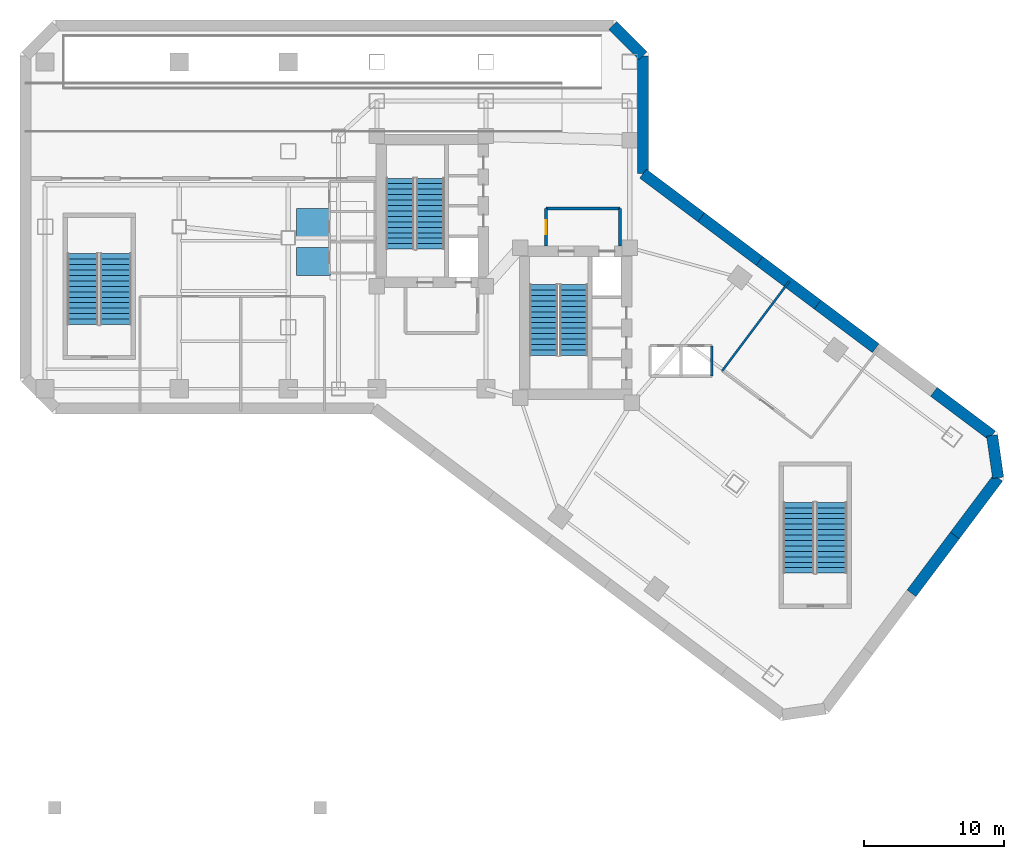
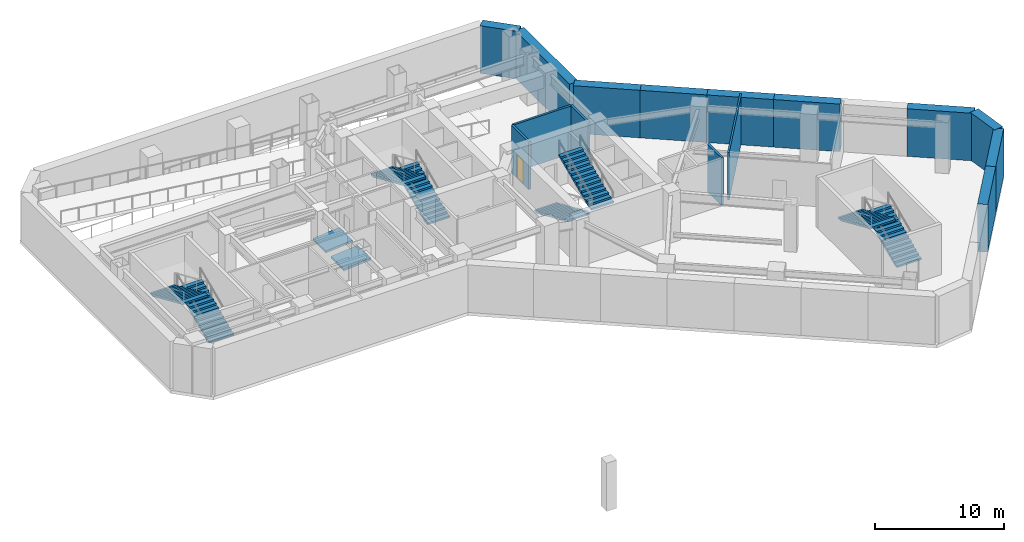
# One storey, part 5 of 9: 15 walls, 8 stair flights, 2 ramp flights, 1 door, 1 opening, 6 elements without a shape of their own.
"""IFC4 building model written with IfcOpenShell, lengths in metres."""

from ifc_helpers import new_model, si_unit, direction, frame, frame_2d, origin, place, context, subcontext, project, spatial, polyline, rectangle, outline, extrude, material, layer, layer_set, type_object, element, fill, aggregate, save


model = new_model("IFC4")

# Units and contexts
model_context = context("Model", 3, precision=1e-05, world=origin(), true_north=direction((0.0, 1.0)))
body_context = subcontext(model_context, "Body", "Model", "MODEL_VIEW")
ifc_project = project(units=[si_unit("LENGTHUNIT", "METRE"), si_unit("AREAUNIT", "SQUARE_METRE"), si_unit("VOLUMEUNIT", "CUBIC_METRE"), si_unit("PLANEANGLEUNIT", "RADIAN"), si_unit("MASSUNIT", "GRAM", prefix="KILO")], contexts=[model_context])

# Site, building, storey
site_placement = place(None, origin())
site = spatial("IfcSite", under=ifc_project, at=site_placement, CompositionType="ELEMENT")
building_placement = place(site_placement, origin())
building = spatial("IfcBuilding", under=site, at=building_placement, Name="Hatsunagi Terrace Concourse", CompositionType="ELEMENT")
storey_placement = place(building_placement, frame((0.0, 0.0, -4.800048828125)))
storey = spatial("IfcBuildingStorey", under=building, at=storey_placement, Name="B01", CompositionType="ELEMENT", Elevation=-4.800048828125)

# Walls
ifc_material_1 = material(Name="Concrete Fc48", Category="concrete")
ifc_layer_1 = layer(ifc_material_1, 0.800048828125)
ifc_layer_set_1 = layer_set([ifc_layer_1], Name="BasementRetainingWall_Fc48_800")
wall_type_1 = type_object("IfcWallType", Name="BasementRetainingWall_Fc48_800", PredefinedType="SHEAR", material=ifc_layer_set_1)
wall_1_placement = place(storey_placement, frame((44.60009765625, 40.60009765625, 0.0), z_axis=(0.0, 0.0, 1.0), x_axis=(0.799983113496, -0.600022514679, 0.0)))
element("IfcWall", 1, at=wall_1_placement, inside=storey, type_object=wall_type_1, Name="Basement Retaining Wall B01-01-1", PredefinedType="SHEAR", context=body_context, shape_type="SweptSolid", body=[
    extrude(rectangle(XDim=5.204833984375, YDim=0.800048828125, at=frame_2d((2.6025390625, 0.0))), origin(), (0.0, 0.0, 1.0), 4.5),
])
wall_2_placement = place(storey_placement, frame((48.763916015625, 37.47705078125, 0.0), z_axis=(0.0, 0.0, 1.0), x_axis=(0.799977491278, -0.600030010457, 0.0)))
element("IfcWall", 2, at=wall_2_placement, inside=storey, type_object=wall_type_1, Name="Basement Retaining Wall B01-01-2", PredefinedType="SHEAR", context=body_context, shape_type="SweptSolid", body=[
    extrude(rectangle(XDim=5.20654296875, YDim=0.800048828125, at=frame_2d((2.603271484375, 0.0))), origin(), (0.0, 0.0, 1.0), 4.5),
])
wall_3_placement = place(storey_placement, frame((52.928955078125, 34.35302734375, 0.0), z_axis=(0.0, 0.0, 1.0), x_axis=(0.80006752701, -0.59990995343, 0.0)))
element("IfcWall", 3, at=wall_3_placement, inside=storey, type_object=wall_type_1, Name="Basement Retaining Wall B01-01-3", PredefinedType="SHEAR", context=body_context, shape_type="SweptSolid", body=[
    extrude(rectangle(XDim=5.205810546875, YDim=0.800048828125, at=frame_2d((2.60302734375, 0.0))), origin(), (0.0, 0.0, 1.0), 4.5),
])
wall_4_placement = place(storey_placement, frame((57.093994140625, 31.22998046875, 0.0), z_axis=(0.0, 0.0, 1.0), x_axis=(0.799909944843, -0.600120054773, 0.0)))
element("IfcWall", 4, at=wall_4_placement, inside=storey, type_object=wall_type_1, Name="Basement Retaining Wall B01-01-4", PredefinedType="SHEAR", context=body_context, shape_type="SweptSolid", body=[
    extrude(rectangle(XDim=5.20556640625, YDim=0.800048828125, at=frame_2d((2.602783203125, 0.0))), origin(), (0.0, 0.0, 1.0), 4.5),
])
wall_5_placement = place(storey_placement, frame((65.422119140625, 24.98291015625, 0.0), z_axis=(0.0, 0.0, 1.0), x_axis=(0.79996060752, -0.600052519715, 0.0)))
element("IfcWall", 5, at=wall_5_placement, inside=storey, type_object=wall_type_1, Name="Basement Retaining Wall B01-01-6", PredefinedType="SHEAR", context=body_context, shape_type="SweptSolid", body=[
    extrude(rectangle(XDim=5.206298828125, YDim=0.800048828125, at=frame_2d((2.60302734375, 0.0))), origin(), (0.0, 0.0, 1.0), 4.5),
])
wall_6_placement = place(storey_placement, frame((69.5869140625, 21.85888671875, 0.0), z_axis=(0.0, 0.0, 1.0), x_axis=(0.141722649809, -0.989906404935, 0.0)))
element("IfcWall", 6, at=wall_6_placement, inside=storey, type_object=wall_type_1, Name="Basement Retaining Wall B01-02", PredefinedType="SHEAR", context=body_context, shape_type="SweptSolid", body=[
    extrude(rectangle(XDim=3.06298828125, YDim=0.800048828125, at=frame_2d((1.531494140625, 0.0))), origin(), (0.0, 0.0, 1.0), 4.5),
])
wall_7_placement = place(storey_placement, frame((70.02099609375, 18.826904296875, 0.0), z_axis=(0.0, 0.0, 1.0), x_axis=(-0.600060486348, -0.799954631666, 0.0)))
element("IfcWall", 7, at=wall_7_placement, inside=storey, type_object=wall_type_1, Name="Basement Retaining Wall B01-03-1", PredefinedType="SHEAR", context=body_context, shape_type="SweptSolid", body=[
    extrude(rectangle(XDim=5.166259765625, YDim=0.800048828125, at=frame_2d((2.5830078125, 0.0))), origin(), (0.0, 0.0, 1.0), 4.5),
])
wall_8_placement = place(storey_placement, frame((66.9208984375, 14.694091796875, 0.0), z_axis=(0.0, 0.0, 1.0), x_axis=(-0.600037794011, -0.799971653097, 0.0)))
element("IfcWall", 8, at=wall_8_placement, inside=storey, type_object=wall_type_1, Name="Basement Retaining Wall B01-03-2", PredefinedType="SHEAR", context=body_context, shape_type="SweptSolid", body=[
    extrude(rectangle(XDim=5.167724609375, YDim=0.800048828125, at=frame_2d((2.583984375, 0.0))), origin(), (0.0, 0.0, 1.0), 4.5),
])
wall_9_placement = place(storey_placement, frame((42.43408203125, 51.199951171875, 0.0), z_axis=(0.0, 0.0, 1.0), x_axis=(0.707106781187, -0.707106781187, 0.0)))
element("IfcWall", 9, at=wall_9_placement, inside=storey, type_object=wall_type_1, Name="Basement Retaining Wall B01-11", PredefinedType="SHEAR", context=body_context, shape_type="SweptSolid", body=[
    extrude(rectangle(XDim=3.063232421875, YDim=0.800048828125, at=frame_2d((1.53173828125, 0.0))), origin(), (0.0, 0.0, 1.0), 4.5),
])
wall_10_placement = place(storey_placement, frame((44.60009765625, 49.033935546875, 0.0), z_axis=(0.0, 0.0, 1.0), x_axis=(0.0, -1.0, 0.0)))
element("IfcWall", 10, at=wall_10_placement, inside=storey, type_object=wall_type_1, Name="Basement Retaining Wall B01-12", PredefinedType="SHEAR", context=body_context, shape_type="SweptSolid", body=[
    extrude(rectangle(XDim=8.433837890625, YDim=0.800048828125, at=frame_2d((4.216796875, 0.0))), origin(), (0.0, 0.0, 1.0), 4.5),
])
ifc_material_2 = material(Name="Acoustic mineral board", Category="gypsum")
ifc_layer_2 = layer(ifc_material_2, 0.14990234375)
ifc_layer_set_2 = layer_set([ifc_layer_2], Name="PartitionWall_EI60_150")
wall_type_2 = type_object("IfcWallType", Name="PartitionWall_EI60_150", PredefinedType="PARTITIONING", material=ifc_layer_set_2)
wall_11_placement = place(storey_placement, frame((50.260009765625, 26.47998046875, 0.0), z_axis=(0.0, 0.0, 1.0), x_axis=(0.60000976564, 0.799992675677, 0.0)))
element("IfcWall", 11, at=wall_11_placement, inside=storey, type_object=wall_type_2, Name="Interior Partition IW-B01-032", PredefinedType="PARTITIONING", context=body_context, shape_type="SweptSolid", body=[
    extrude(rectangle(XDim=8.0, YDim=0.14990234375, at=frame_2d((4.0, 0.0))), origin(), (0.0, 0.0, 1.0), 4.5),
])
ifc_material_3 = material(Name="Acoustic mineral board", Category="gypsum")
ifc_layer_3 = layer(ifc_material_3, 0.199951171875)
ifc_layer_set_3 = layer_set([ifc_layer_3], Name="ShaftWall_EI120_200")
wall_type_3 = type_object("IfcWallType", Name="ShaftWall_EI120_200", PredefinedType="STANDARD", material=ifc_layer_set_3)
wall_12_placement = place(storey_placement, frame((37.64990234375, 38.10009765625, 0.0), z_axis=(0.0, 0.0, 1.0), x_axis=(1.0, 0.0, 0.0)))
element("IfcWall", 12, at=wall_12_placement, inside=storey, type_object=wall_type_3, Name="Interior Partition IW-B01-010", PredefinedType="STANDARD", context=body_context, shape_type="SweptSolid", body=[
    extrude(rectangle(XDim=5.300048828125, YDim=0.199951171875, at=frame_2d((2.64990234375, 0.0))), origin(), (0.0, 0.0, 1.0), 4.5),
])
wall_13_placement = place(storey_placement, frame((42.949951171875, 35.419921875, 0.0), z_axis=(0.0, 0.0, 1.0), x_axis=(0.0, 1.0, 0.0)))
element("IfcWall", 13, at=wall_13_placement, inside=storey, type_object=wall_type_3, Name="Interior Partition IW-B01-011", PredefinedType="STANDARD", context=body_context, shape_type="SweptSolid", body=[
    extrude(rectangle(XDim=2.68017578125, YDim=0.199951171875, at=frame_2d((1.340087890625, 0.0))), origin(), (0.0, 0.0, 1.0), 4.5),
])

# Wall, opening, door
wall_14_placement = place(storey_placement, frame((37.64990234375, 35.419921875, 0.0), z_axis=(0.0, 0.0, 1.0), x_axis=(0.0, 1.0, 0.0)))
wall_14 = element("IfcWall", 14, at=wall_14_placement, inside=storey, type_object=wall_type_3, Name="Interior Partition IW-B01-012", PredefinedType="STANDARD", context=body_context, shape_type="SweptSolid", body=[
    extrude(rectangle(XDim=2.68017578125, YDim=0.199951171875, at=frame_2d((1.340087890625, 0.0))), origin(), (0.0, 0.0, 1.0), 4.5),
])
opening_placement = place(wall_14_placement, frame((0.840087890625, 0.0, 0.0)))
opening = element("IfcOpeningElement", 15, at=opening_placement, cuts=wall_14, Name="Opening DR-100F", PredefinedType="OPENING", context=body_context, shape_type="SweptSolid", body=[
    extrude(rectangle(XDim=1.0, YDim=2.199951171875, at=frame_2d((0.5, 1.10009765625))), frame((0.0, 0.10986328125, 0.0), z_axis=(0.0, -1.0, 0.0), x_axis=(1.0, 0.0, 0.0)), (0.0, 0.0, 1.0), 0.219970703125),
])
ifc_material_4 = material(Name="Painted steel", Category="steel")
door_type = type_object("IfcDoorType", Name="FireDoor_EI60_1000", OperationType="NOTDEFINED", PredefinedType="DOOR", material=ifc_material_4)
door_placement = place(opening_placement, origin())
door = element("IfcDoor", 16, at=door_placement, inside=storey, type_object=door_type, Name="Firefighting Lobby B Door B01", OperationType="SINGLE_SWING_RIGHT", OverallHeight=2.199951171875, OverallWidth=1.0, PredefinedType="DOOR", context=body_context, shape_type="SweptSolid", body=[
    extrude(rectangle(XDim=1.0, YDim=2.199951171875, at=frame_2d((0.5, 1.10009765625))), frame((0.0, 0.02490234375, 0.0), z_axis=(0.0, -1.0, 0.0), x_axis=(1.0, 0.0, 0.0)), (0.0, 0.0, 1.0), 0.050048828125),
])
fill(opening, door)

# Wall
wall_15_placement = place(storey_placement, frame((49.52001953125, 26.1201171875, 0.0), z_axis=(0.0, 0.0, 1.0), x_axis=(0.0, 1.0, 0.0)))
element("IfcWall", 17, at=wall_15_placement, inside=storey, type_object=wall_type_3, Name="Interior Partition IW-B01-015", PredefinedType="STANDARD", context=body_context, shape_type="SweptSolid", body=[
    extrude(rectangle(XDim=2.159912109375, YDim=0.199951171875, at=frame_2d((1.080078125, 0.0))), origin(), (0.0, 0.0, 1.0), 4.5),
])

# Stair, stair flights
ifc_material_5 = material(Name="Concrete Fc42", Category="concrete")
stair_type_1 = type_object("IfcStairType", Name="DoglegExitStair_Podium2200_28R_171", PredefinedType="HALF_TURN_STAIR", material=ifc_material_5)
stair_1_placement = place(storey_placement, origin())
stair_1 = element("IfcStair", 18, at=stair_1_placement, inside=storey, type_object=stair_type_1, Name="B01 West Podium Convention Exit Stair ST-P1", PredefinedType="HALF_TURN_STAIR")
ifc_material_6 = material(Name="Concrete Fc42", Category="concrete")
stair_flight_type_1 = type_object("IfcStairFlightType", Name="DoglegStairFlight_Podium2200_28R_171", PredefinedType="STRAIGHT", material=ifc_material_6)
stair_flight_1_placement = place(storey_placement, frame((6.85009765625, 29.800048828125, 0.0), z_axis=(0.0, 0.0, 1.0), x_axis=(0.0, 1.0, 0.0)))
stair_flight_1 = element("IfcStairFlight", 19, at=stair_flight_1_placement, type_object=stair_flight_type_1, Name="ST-P1 flight 1", NumberOfRisers=14, NumberOfTreads=13, PredefinedType="STRAIGHT", RiserHeight=0.171428571, TreadLength=0.39, context=body_context, shape_type="SweptSolid", body=[
    extrude(outline(polyline([(0.0, 0.0), (0.0, 0.17138671875), (0.389892578125, 0.17138671875), (0.389892578125, 0.3427734375), (0.780029296875, 0.3427734375), (0.780029296875, 0.514404296875), (1.169921875, 0.514404296875), (1.169921875, 0.685791015625), (1.56005859375, 0.685791015625), (1.56005859375, 0.857177734375), (1.949951171875, 0.857177734375), (1.949951171875, 1.028564453125), (2.340087890625, 1.028564453125), (2.340087890625, 1.199951171875), (2.72998046875, 1.199951171875), (2.72998046875, 1.371337890625), (3.1201171875, 1.371337890625), (3.1201171875, 1.54296875), (3.510009765625, 1.54296875), (3.510009765625, 1.71435546875), (3.89990234375, 1.71435546875), (3.89990234375, 1.8857421875), (4.2900390625, 1.8857421875), (4.2900390625, 2.05712890625), (4.679931640625, 2.05712890625), (4.679931640625, 2.228515625), (5.070068359375, 2.228515625), (5.070068359375, 2.39990234375), (5.070068359375, 2.06494140625), (0.37255859375, 0.0), (0.0, 0.0)])), frame((0.0, 1.10009765625, 0.0), z_axis=(0.0, -1.0, 0.0), x_axis=(1.0, 0.0, 0.0)), (0.0, 0.0, 1.0), 2.199951171875),
])
stair_flight_2_placement = place(storey_placement, frame((4.5, 34.8701171875, 2.400146484375), z_axis=(0.0, 0.0, 1.0), x_axis=(0.0, -1.0, 0.0)))
stair_flight_2 = element("IfcStairFlight", 20, at=stair_flight_2_placement, type_object=stair_flight_type_1, Name="ST-P1 flight 2", NumberOfRisers=14, NumberOfTreads=13, PredefinedType="STRAIGHT", RiserHeight=0.171428571, TreadLength=0.39, context=body_context, shape_type="SweptSolid", body=[
    extrude(outline(polyline([(0.0, 0.0), (0.0, 0.17138671875), (0.389892578125, 0.17138671875), (0.389892578125, 0.3427734375), (0.780029296875, 0.3427734375), (0.780029296875, 0.514404296875), (1.169921875, 0.514404296875), (1.169921875, 0.685791015625), (1.56005859375, 0.685791015625), (1.56005859375, 0.857177734375), (1.949951171875, 0.857177734375), (1.949951171875, 1.028564453125), (2.340087890625, 1.028564453125), (2.340087890625, 1.199951171875), (2.72998046875, 1.199951171875), (2.72998046875, 1.371337890625), (3.1201171875, 1.371337890625), (3.1201171875, 1.54296875), (3.510009765625, 1.54296875), (3.510009765625, 1.71435546875), (3.89990234375, 1.71435546875), (3.89990234375, 1.8857421875), (4.2900390625, 1.8857421875), (4.2900390625, 2.05712890625), (4.679931640625, 2.05712890625), (4.679931640625, 2.228515625), (5.070068359375, 2.228515625), (5.070068359375, 2.39990234375), (5.070068359375, 2.06494140625), (0.37255859375, 0.0), (0.0, 0.0)])), frame((0.0, 1.10009765625, 0.0), z_axis=(0.0, -1.0, 0.0), x_axis=(1.0, 0.0, 0.0)), (0.0, 0.0, 1.0), 2.199951171875),
])
aggregate(stair_1, [stair_flight_1, stair_flight_2])

stair_2_placement = place(storey_placement, origin())
stair_2 = element("IfcStair", 21, at=stair_2_placement, inside=storey, type_object=stair_type_1, Name="B01 Southeast Podium Ballroom Exit Stair ST-P2", PredefinedType="HALF_TURN_STAIR")
stair_flight_3_placement = place(storey_placement, frame((58.10009765625, 12.0, 0.0), z_axis=(0.0, 0.0, 1.0), x_axis=(0.0, 1.0, 0.0)))
stair_flight_3 = element("IfcStairFlight", 22, at=stair_flight_3_placement, type_object=stair_flight_type_1, Name="ST-P2 flight 1", NumberOfRisers=14, NumberOfTreads=13, PredefinedType="STRAIGHT", RiserHeight=0.171428571, TreadLength=0.39, context=body_context, shape_type="SweptSolid", body=[
    extrude(outline(polyline([(0.0, 0.0), (0.0, 0.17138671875), (0.389892578125, 0.17138671875), (0.389892578125, 0.3427734375), (0.780029296875, 0.3427734375), (0.780029296875, 0.514404296875), (1.169921875, 0.514404296875), (1.169921875, 0.685791015625), (1.56005859375, 0.685791015625), (1.56005859375, 0.857177734375), (1.949951171875, 0.857177734375), (1.949951171875, 1.028564453125), (2.340087890625, 1.028564453125), (2.340087890625, 1.199951171875), (2.72998046875, 1.199951171875), (2.72998046875, 1.371337890625), (3.1201171875, 1.371337890625), (3.1201171875, 1.54296875), (3.510009765625, 1.54296875), (3.510009765625, 1.71435546875), (3.89990234375, 1.71435546875), (3.89990234375, 1.8857421875), (4.2900390625, 1.8857421875), (4.2900390625, 2.05712890625), (4.679931640625, 2.05712890625), (4.679931640625, 2.228515625), (5.070068359375, 2.228515625), (5.070068359375, 2.39990234375), (5.070068359375, 2.06494140625), (0.37255859375, 0.0), (0.0, 0.0)])), frame((0.0, 1.10009765625, 0.0), z_axis=(0.0, -1.0, 0.0), x_axis=(1.0, 0.0, 0.0)), (0.0, 0.0, 1.0), 2.199951171875),
])
stair_flight_4_placement = place(storey_placement, frame((55.75, 17.070068359375, 2.400146484375), z_axis=(0.0, 0.0, 1.0), x_axis=(0.0, -1.0, 0.0)))
stair_flight_4 = element("IfcStairFlight", 23, at=stair_flight_4_placement, type_object=stair_flight_type_1, Name="ST-P2 flight 2", NumberOfRisers=14, NumberOfTreads=13, PredefinedType="STRAIGHT", RiserHeight=0.171428571, TreadLength=0.39, context=body_context, shape_type="SweptSolid", body=[
    extrude(outline(polyline([(0.0, 0.0), (0.0, 0.17138671875), (0.389892578125, 0.17138671875), (0.389892578125, 0.3427734375), (0.780029296875, 0.3427734375), (0.780029296875, 0.514404296875), (1.169921875, 0.514404296875), (1.169921875, 0.685791015625), (1.56005859375, 0.685791015625), (1.56005859375, 0.857177734375), (1.949951171875, 0.857177734375), (1.949951171875, 1.028564453125), (2.340087890625, 1.028564453125), (2.340087890625, 1.199951171875), (2.72998046875, 1.199951171875), (2.72998046875, 1.371337890625), (3.1201171875, 1.371337890625), (3.1201171875, 1.54296875), (3.510009765625, 1.54296875), (3.510009765625, 1.71435546875), (3.89990234375, 1.71435546875), (3.89990234375, 1.8857421875), (4.2900390625, 1.8857421875), (4.2900390625, 2.05712890625), (4.679931640625, 2.05712890625), (4.679931640625, 2.228515625), (5.070068359375, 2.228515625), (5.070068359375, 2.39990234375), (5.070068359375, 2.06494140625), (0.37255859375, 0.0), (0.0, 0.0)])), frame((0.0, 1.10009765625, 0.0), z_axis=(0.0, -1.0, 0.0), x_axis=(1.0, 0.0, 0.0)), (0.0, 0.0, 1.0), 2.199951171875),
])
aggregate(stair_2, [stair_flight_3, stair_flight_4])

ifc_material_7 = material(Name="Concrete Fc42", Category="concrete")
stair_type_2 = type_object("IfcStairType", Name="DoglegExitStair_Tower2000_28R_171", PredefinedType="HALF_TURN_STAIR", material=ifc_material_7)
stair_3_placement = place(storey_placement, origin())
stair_3 = element("IfcStair", 24, at=stair_3_placement, inside=storey, type_object=stair_type_2, Name="B01 Core A Protected Exit Stair ST-A", PredefinedType="HALF_TURN_STAIR")
ifc_material_8 = material(Name="Concrete Fc42", Category="concrete")
stair_flight_type_2 = type_object("IfcStairFlightType", Name="DoglegStairFlight_Tower2000_28R_171", PredefinedType="STRAIGHT", material=ifc_material_8)
stair_flight_5_placement = place(storey_placement, frame((29.3798828125, 35.199951171875, 0.0), z_axis=(0.0, 0.0, 1.0), x_axis=(0.0, 1.0, 0.0)))
stair_flight_5 = element("IfcStairFlight", 25, at=stair_flight_5_placement, type_object=stair_flight_type_2, Name="ST-A flight 1", NumberOfRisers=14, NumberOfTreads=13, PredefinedType="STRAIGHT", RiserHeight=0.171428571, TreadLength=0.39, context=body_context, shape_type="SweptSolid", body=[
    extrude(outline(polyline([(0.0, 0.0), (0.0, 0.17138671875), (0.389892578125, 0.17138671875), (0.389892578125, 0.3427734375), (0.780029296875, 0.3427734375), (0.780029296875, 0.514404296875), (1.169921875, 0.514404296875), (1.169921875, 0.685791015625), (1.56005859375, 0.685791015625), (1.56005859375, 0.857177734375), (1.949951171875, 0.857177734375), (1.949951171875, 1.028564453125), (2.340087890625, 1.028564453125), (2.340087890625, 1.199951171875), (2.72998046875, 1.199951171875), (2.72998046875, 1.371337890625), (3.1201171875, 1.371337890625), (3.1201171875, 1.54296875), (3.510009765625, 1.54296875), (3.510009765625, 1.71435546875), (3.89990234375, 1.71435546875), (3.89990234375, 1.8857421875), (4.2900390625, 1.8857421875), (4.2900390625, 2.05712890625), (4.679931640625, 2.05712890625), (4.679931640625, 2.228515625), (5.070068359375, 2.228515625), (5.070068359375, 2.39990234375), (5.070068359375, 2.06494140625), (0.37255859375, 0.0), (0.0, 0.0)])), frame((0.0, 1.0, 0.0), z_axis=(0.0, -1.0, 0.0), x_axis=(1.0, 0.0, 0.0)), (0.0, 0.0, 1.0), 2.0),
])
stair_flight_6_placement = place(storey_placement, frame((27.22998046875, 40.27001953125, 2.400146484375), z_axis=(0.0, 0.0, 1.0), x_axis=(0.0, -1.0, 0.0)))
stair_flight_6 = element("IfcStairFlight", 26, at=stair_flight_6_placement, type_object=stair_flight_type_2, Name="ST-A flight 2", NumberOfRisers=14, NumberOfTreads=13, PredefinedType="STRAIGHT", RiserHeight=0.171428571, TreadLength=0.39, context=body_context, shape_type="SweptSolid", body=[
    extrude(outline(polyline([(0.0, 0.0), (0.0, 0.17138671875), (0.389892578125, 0.17138671875), (0.389892578125, 0.3427734375), (0.780029296875, 0.3427734375), (0.780029296875, 0.514404296875), (1.169921875, 0.514404296875), (1.169921875, 0.685791015625), (1.56005859375, 0.685791015625), (1.56005859375, 0.857177734375), (1.949951171875, 0.857177734375), (1.949951171875, 1.028564453125), (2.340087890625, 1.028564453125), (2.340087890625, 1.199951171875), (2.72998046875, 1.199951171875), (2.72998046875, 1.371337890625), (3.1201171875, 1.371337890625), (3.1201171875, 1.54296875), (3.510009765625, 1.54296875), (3.510009765625, 1.71435546875), (3.89990234375, 1.71435546875), (3.89990234375, 1.8857421875), (4.2900390625, 1.8857421875), (4.2900390625, 2.05712890625), (4.679931640625, 2.05712890625), (4.679931640625, 2.228515625), (5.070068359375, 2.228515625), (5.070068359375, 2.39990234375), (5.070068359375, 2.06494140625), (0.37255859375, 0.0), (0.0, 0.0)])), frame((0.0, 1.0, 0.0), z_axis=(0.0, -1.0, 0.0), x_axis=(1.0, 0.0, 0.0)), (0.0, 0.0, 1.0), 2.0),
])
aggregate(stair_3, [stair_flight_5, stair_flight_6])

stair_4_placement = place(storey_placement, origin())
stair_4 = element("IfcStair", 27, at=stair_4_placement, inside=storey, type_object=stair_type_2, Name="B01 Core B Protected Exit Stair ST-B", PredefinedType="HALF_TURN_STAIR")
stair_flight_7_placement = place(storey_placement, frame((37.5, 32.659912109375, 0.0), z_axis=(0.0, 0.0, 1.0), x_axis=(0.0, -1.0, 0.0)))
stair_flight_7 = element("IfcStairFlight", 28, at=stair_flight_7_placement, type_object=stair_flight_type_2, Name="ST-B flight 1", NumberOfRisers=14, NumberOfTreads=13, PredefinedType="STRAIGHT", RiserHeight=0.171428571, TreadLength=0.39, context=body_context, shape_type="SweptSolid", body=[
    extrude(outline(polyline([(0.0, 0.0), (0.0, 0.17138671875), (0.389892578125, 0.17138671875), (0.389892578125, 0.3427734375), (0.780029296875, 0.3427734375), (0.780029296875, 0.514404296875), (1.169921875, 0.514404296875), (1.169921875, 0.685791015625), (1.56005859375, 0.685791015625), (1.56005859375, 0.857177734375), (1.949951171875, 0.857177734375), (1.949951171875, 1.028564453125), (2.340087890625, 1.028564453125), (2.340087890625, 1.199951171875), (2.72998046875, 1.199951171875), (2.72998046875, 1.371337890625), (3.1201171875, 1.371337890625), (3.1201171875, 1.54296875), (3.510009765625, 1.54296875), (3.510009765625, 1.71435546875), (3.89990234375, 1.71435546875), (3.89990234375, 1.8857421875), (4.2900390625, 1.8857421875), (4.2900390625, 2.05712890625), (4.679931640625, 2.05712890625), (4.679931640625, 2.228515625), (5.070068359375, 2.228515625), (5.070068359375, 2.39990234375), (5.070068359375, 2.06494140625), (0.37255859375, 0.0), (0.0, 0.0)])), frame((0.0, 1.0, 0.0), z_axis=(0.0, -1.0, 0.0), x_axis=(1.0, 0.0, 0.0)), (0.0, 0.0, 1.0), 2.0),
])
stair_flight_8_placement = place(storey_placement, frame((39.64990234375, 27.590087890625, 2.400146484375), z_axis=(0.0, 0.0, 1.0), x_axis=(0.0, 1.0, 0.0)))
stair_flight_8 = element("IfcStairFlight", 29, at=stair_flight_8_placement, type_object=stair_flight_type_2, Name="ST-B flight 2", NumberOfRisers=14, NumberOfTreads=13, PredefinedType="STRAIGHT", RiserHeight=0.171428571, TreadLength=0.39, context=body_context, shape_type="SweptSolid", body=[
    extrude(outline(polyline([(0.0, 0.0), (0.0, 0.17138671875), (0.389892578125, 0.17138671875), (0.389892578125, 0.3427734375), (0.780029296875, 0.3427734375), (0.780029296875, 0.514404296875), (1.169921875, 0.514404296875), (1.169921875, 0.685791015625), (1.56005859375, 0.685791015625), (1.56005859375, 0.857177734375), (1.949951171875, 0.857177734375), (1.949951171875, 1.028564453125), (2.340087890625, 1.028564453125), (2.340087890625, 1.199951171875), (2.72998046875, 1.199951171875), (2.72998046875, 1.371337890625), (3.1201171875, 1.371337890625), (3.1201171875, 1.54296875), (3.510009765625, 1.54296875), (3.510009765625, 1.71435546875), (3.89990234375, 1.71435546875), (3.89990234375, 1.8857421875), (4.2900390625, 1.8857421875), (4.2900390625, 2.05712890625), (4.679931640625, 2.05712890625), (4.679931640625, 2.228515625), (5.070068359375, 2.228515625), (5.070068359375, 2.39990234375), (5.070068359375, 2.06494140625), (0.37255859375, 0.0), (0.0, 0.0)])), frame((0.0, 1.0, 0.0), z_axis=(0.0, -1.0, 0.0), x_axis=(1.0, 0.0, 0.0)), (0.0, 0.0, 1.0), 2.0),
])
aggregate(stair_4, [stair_flight_7, stair_flight_8])

# Ramp, ramp flight
ifc_material_9 = material(Name="Concrete Fc42", Category="concrete")
ifc_layer_4 = layer(ifc_material_9, 0.199951171875)
ifc_layer_set_4 = layer_set([ifc_layer_4], Name="PlazaAccessibleRamp_Fc42")
ramp_type = type_object("IfcRampType", Name="PlazaAccessibleRamp_Fc42", PredefinedType="NOTDEFINED", material=ifc_layer_set_4)
ramp_1_placement = place(storey_placement, origin())
ramp_1 = element("IfcRamp", 30, at=ramp_1_placement, inside=storey, type_object=ramp_type, Name="B01 Service Barrier-Free Accessible Ramp 1", PredefinedType="NOTDEFINED")
ifc_material_10 = material(Name="Concrete Fc42", Category="concrete")
ifc_layer_5 = layer(ifc_material_10, 0.199951171875)
ifc_layer_set_5 = layer_set([ifc_layer_5], Name="PlazaAccessibleRampFlight_Fc42")
ramp_flight_type = type_object("IfcRampFlightType", Name="PlazaAccessibleRampFlight_Fc42", PredefinedType="STRAIGHT", material=ifc_layer_set_5)
ramp_flight_1_placement = place(storey_placement, frame((19.780029296875, 33.300048828125, 0.0), z_axis=(-0.08167537612, 0.0, 0.996658985278), x_axis=(0.996658985278, 0.0, 0.08167537612)))
ramp_flight_1 = element("IfcRampFlight", 31, at=ramp_flight_1_placement, type_object=ramp_flight_type, Name="B01 Service Barrier-Free Accessible Ramp 1 Flight", PredefinedType="STRAIGHT", context=body_context, shape_type="SweptSolid", body=[
    extrude(outline(polyline([(0.0, 0.0), (2.4481206132597744, 0.0), (2.4481206132597744, 2.0), (0.0, 2.0), (0.0, 0.0)])), origin(), (0.0, 0.0, -1.0), 0.199951171875),
])
aggregate(ramp_1, [ramp_flight_1])

ramp_2_placement = place(storey_placement, origin())
ramp_2 = element("IfcRamp", 32, at=ramp_2_placement, inside=storey, type_object=ramp_type, Name="B01 Service Barrier-Free Accessible Ramp 2", PredefinedType="NOTDEFINED")
ramp_flight_2_placement = place(storey_placement, frame((19.780029296875, 36.10009765625, 0.0), z_axis=(-0.08167537612, 0.0, 0.996658985278), x_axis=(0.996658985278, 0.0, 0.08167537612)))
ramp_flight_2 = element("IfcRampFlight", 33, at=ramp_flight_2_placement, type_object=ramp_flight_type, Name="B01 Service Barrier-Free Accessible Ramp 2 Flight", PredefinedType="STRAIGHT", context=body_context, shape_type="SweptSolid", body=[
    extrude(outline(polyline([(0.0, 0.0), (2.4481206132597744, 0.0), (2.4481206132597744, 2.0), (0.0, 2.0), (0.0, 0.0)])), origin(), (0.0, 0.0, -1.0), 0.199951171875),
])
aggregate(ramp_2, [ramp_flight_2])

save(model, "model.ifc")
